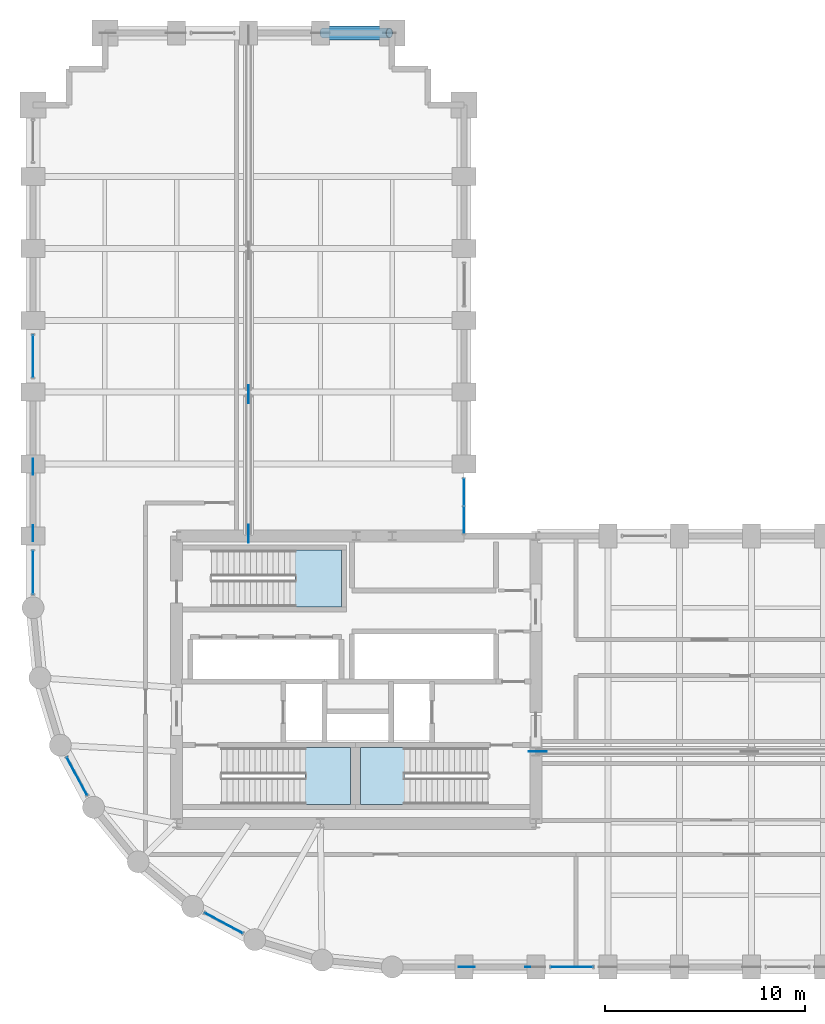
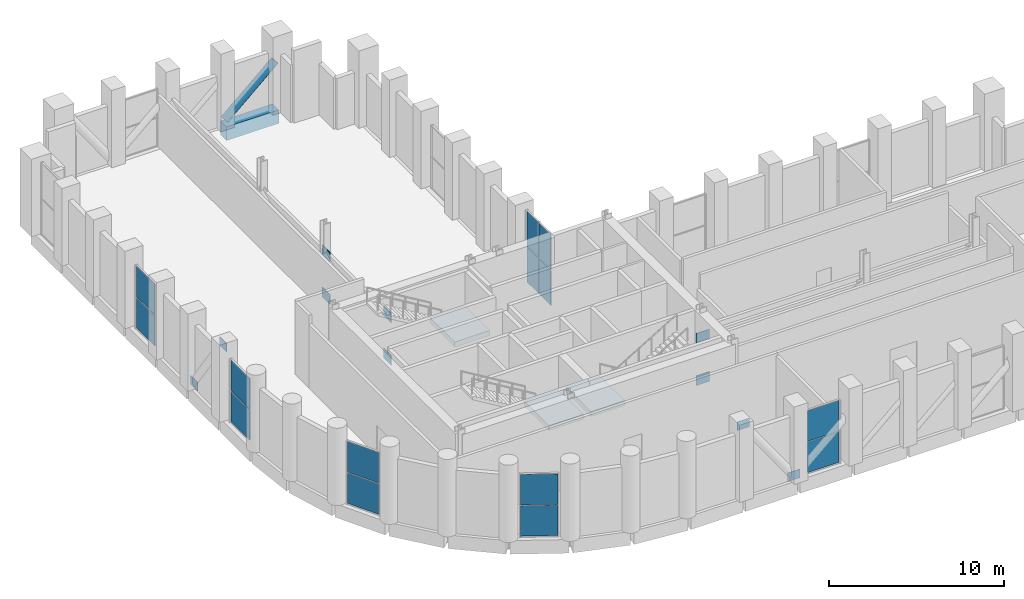
# One storey, part 20 of 27: 24 plates, 3 slabs, 1 beam, 1 member, 9 elements without a shape of their own.
"""IFC4 building model written with IfcOpenShell, lengths in metres."""

from ifc_helpers import new_model, si_unit, direction, frame, origin, origin_2d, place, context, subcontext, project, spatial, polyline, rectangle, hollow_circle, outline, extrude, material, layer, layer_set, material_profile, profile_set, type_object, element, aggregate, save


model = new_model("IFC4")

# Units and contexts
model_context = context("Model", 3, precision=1e-05, world=origin(), true_north=direction((0.0, 1.0)))
body_context = subcontext(model_context, "Body", "Model", "MODEL_VIEW")
ifc_project = project(units=[si_unit("LENGTHUNIT", "METRE"), si_unit("AREAUNIT", "SQUARE_METRE"), si_unit("VOLUMEUNIT", "CUBIC_METRE"), si_unit("PLANEANGLEUNIT", "RADIAN"), si_unit("MASSUNIT", "GRAM", prefix="KILO")], contexts=[model_context])

# Site, building, storey
site_placement = place(None, origin())
site = spatial("IfcSite", under=ifc_project, at=site_placement, CompositionType="ELEMENT")
building_placement = place(site_placement, origin())
building = spatial("IfcBuilding", under=site, at=building_placement, Name="Solnavia Interchange Tower", CompositionType="ELEMENT")
storey_placement = place(building_placement, frame((0.0, 0.0, 74.699951171875)))
storey = spatial("IfcBuildingStorey", under=building, at=storey_placement, Name="L18", CompositionType="ELEMENT", Elevation=74.699951171875)

# Beam
ifc_material_1 = material(Name="Concrete C50/60", Category="concrete")
ifc_material_profile_1 = material_profile(ifc_material_1, rectangle(XDim=0.699951171875, YDim=0.949951171875, at=origin_2d()), Name="RC 700x950")
ifc_profile_set_1 = profile_set([ifc_material_profile_1], Name="Concrete C50/60")
beam_type = type_object("IfcBeamType", Name="Beam-Spandrel-RC700x950", PredefinedType="SPANDREL", material=ifc_profile_set_1)
beam_placement = place(storey_placement, frame((25.1201171875, 50.39990234375, -0.474853515625), z_axis=(-1.0, 0.0, 0.0), x_axis=(0.0, -1.0, 0.0)))
element("IfcBeam", 1, at=beam_placement, inside=storey, type_object=beam_type, Name="SPB-L18-34 Framed-tube perimeter spandrel beam", PredefinedType="SPANDREL", context=body_context, shape_type="SweptSolid", body=[
    extrude(rectangle(XDim=0.699951171875, YDim=0.949951171875, at=origin_2d()), origin(), (0.0, 0.0, 1.0), 3.440185546875),
])

# Member
ifc_material_2 = material(Name="Steel S460", Category="steel")
ifc_material_profile_2 = material_profile(ifc_material_2, hollow_circle(Radius=0.25390625, WallThickness=0.02490234375, at=origin_2d()), Name="CHS 508x25")
ifc_profile_set_2 = profile_set([ifc_material_profile_2], Name="Steel S460")
member_type = type_object("IfcMemberType", Name="Outrigger-Diag-CHS508", PredefinedType="BRACE", material=ifc_profile_set_2)
member_placement = place(storey_placement, frame((21.739990234375, 50.39990234375, 0.300048828125), z_axis=(0.747545781752, 0.0, 0.664210286118), x_axis=(0.0, 1.0, 0.0)))
element("IfcMember", 2, at=member_placement, inside=storey, type_object=member_type, Name="OTR-L18-BT13 Belt truss diagonal", PredefinedType="BRACE", context=body_context, shape_type="SweptSolid", body=[
    extrude(hollow_circle(Radius=0.25390625, WallThickness=0.02490234375, at=origin_2d()), origin(), (0.0, 0.0, 1.0), 4.44140625),
])

# Curtain wall, plates
ifc_material_3 = material(Name="Aluminium Alloy 6063-T6", Category="aluminium")
ifc_layer_1 = layer(ifc_material_3, 0.199951171875)
ifc_layer_set_1 = layer_set([ifc_layer_1], Name="Aluminium Alloy 6063-T6")
curtain_wall_type = type_object("IfcCurtainWallType", Name="CurtainWall-Louvre-CTW5", PredefinedType="NOTDEFINED", material=ifc_layer_set_1)
curtain_wall_1_placement = place(storey_placement, origin())
curtain_wall_1 = element("IfcCurtainWall", 3, at=curtain_wall_1_placement, inside=storey, type_object=curtain_wall_type, Name="CTW-L18-L03 CTW-5 curtain wall", PredefinedType="NOTDEFINED")
ifc_material_4 = material(Name="Powder-Coated Aluminium Louvre", Category="aluminium")
ifc_layer_2 = layer(ifc_material_4, 0.0400390625)
ifc_layer_set_2 = layer_set([ifc_layer_2], Name="Powder-Coated Aluminium Louvre")
plate_type_1 = type_object("IfcPlateType", Name="CW-Panel-Louvre-40", PredefinedType="CURTAIN_PANEL", material=ifc_layer_set_2)
plate_1_placement = place(storey_placement, frame((34.199951171875, 3.60009765625, 0.06005859375), z_axis=(0.0, 0.0, 1.0), x_axis=(1.0, 0.0, 0.0)))
plate_1 = element("IfcPlate", 4, at=plate_1_placement, type_object=plate_type_1, Name="CTW-5 panel 1.1", PredefinedType="CURTAIN_PANEL", context=body_context, shape_type="SweptSolid", body=[
    extrude(rectangle(XDim=2.10498046875, YDim=0.0400390625, at=origin_2d()), origin(), (0.0, 0.0, 1.0), 2.125),
])
plate_2_placement = place(storey_placement, frame((34.199951171875, 3.60009765625, 2.2451171875), z_axis=(0.0, 0.0, 1.0), x_axis=(1.0, 0.0, 0.0)))
plate_2 = element("IfcPlate", 5, at=plate_2_placement, type_object=plate_type_1, Name="CTW-5 panel 1.2", PredefinedType="CURTAIN_PANEL", context=body_context, shape_type="SweptSolid", body=[
    extrude(rectangle(XDim=2.10498046875, YDim=0.0400390625, at=origin_2d()), origin(), (0.0, 0.0, 1.0), 2.125),
])
aggregate(curtain_wall_1, [plate_1, plate_2])

curtain_wall_2_placement = place(storey_placement, origin())
curtain_wall_2 = element("IfcCurtainWall", 6, at=curtain_wall_2_placement, inside=storey, type_object=curtain_wall_type, Name="CTW-L18-L30 CTW-5 curtain wall", PredefinedType="NOTDEFINED")
plate_3_placement = place(storey_placement, frame((28.800048828125, 25.99072265625, 0.06005859375), z_axis=(0.0, 0.0, 1.0), x_axis=(0.0, 1.0, 0.0)))
plate_3 = element("IfcPlate", 7, at=plate_3_placement, type_object=plate_type_1, Name="CTW-5 panel 1.1", PredefinedType="CURTAIN_PANEL", context=body_context, shape_type="SweptSolid", body=[
    extrude(rectangle(XDim=1.331298828125, YDim=0.0400390625, at=origin_2d()), origin(), (0.0, 0.0, 1.0), 2.443115234375),
])
plate_4_placement = place(storey_placement, frame((28.800048828125, 25.99072265625, 2.56298828125), z_axis=(0.0, 0.0, 1.0), x_axis=(0.0, 1.0, 0.0)))
plate_4 = element("IfcPlate", 8, at=plate_4_placement, type_object=plate_type_1, Name="CTW-5 panel 1.2", PredefinedType="CURTAIN_PANEL", context=body_context, shape_type="SweptSolid", body=[
    extrude(rectangle(XDim=1.331298828125, YDim=0.0400390625, at=origin_2d()), origin(), (0.0, 0.0, 1.0), 2.44189453125),
])
plate_5_placement = place(storey_placement, frame((28.800048828125, 27.386962890625, 0.06005859375), z_axis=(0.0, 0.0, 1.0), x_axis=(0.0, 1.0, 0.0)))
plate_5 = element("IfcPlate", 9, at=plate_5_placement, type_object=plate_type_1, Name="CTW-5 panel 2.1", PredefinedType="CURTAIN_PANEL", context=body_context, shape_type="SweptSolid", body=[
    extrude(rectangle(XDim=1.331298828125, YDim=0.0400390625, at=origin_2d()), origin(), (0.0, 0.0, 1.0), 2.443115234375),
])
plate_6_placement = place(storey_placement, frame((28.800048828125, 27.386962890625, 2.56298828125), z_axis=(0.0, 0.0, 1.0), x_axis=(0.0, 1.0, 0.0)))
plate_6 = element("IfcPlate", 10, at=plate_6_placement, type_object=plate_type_1, Name="CTW-5 panel 2.2", PredefinedType="CURTAIN_PANEL", context=body_context, shape_type="SweptSolid", body=[
    extrude(rectangle(XDim=1.331298828125, YDim=0.0400390625, at=origin_2d()), origin(), (0.0, 0.0, 1.0), 2.44189453125),
])
aggregate(curtain_wall_2, [plate_3, plate_4, plate_5, plate_6])

curtain_wall_3_placement = place(storey_placement, origin())
curtain_wall_3 = element("IfcCurtainWall", 11, at=curtain_wall_3_placement, inside=storey, type_object=curtain_wall_type, Name="CTW-L18-L51 CTW-5 curtain wall", PredefinedType="NOTDEFINED")
plate_7_placement = place(storey_placement, frame((7.199951171875, 34.199951171875, 0.06005859375), z_axis=(0.0, 0.0, 1.0), x_axis=(0.0, -1.0, 0.0)))
plate_7 = element("IfcPlate", 12, at=plate_7_placement, type_object=plate_type_1, Name="CTW-5 panel 1.1", PredefinedType="CURTAIN_PANEL", context=body_context, shape_type="SweptSolid", body=[
    extrude(rectangle(XDim=2.10498046875, YDim=0.0400390625, at=origin_2d()), origin(), (0.0, 0.0, 1.0), 2.125),
])
plate_8_placement = place(storey_placement, frame((7.199951171875, 34.199951171875, 2.2451171875), z_axis=(0.0, 0.0, 1.0), x_axis=(0.0, -1.0, 0.0)))
plate_8 = element("IfcPlate", 13, at=plate_8_placement, type_object=plate_type_1, Name="CTW-5 panel 1.2", PredefinedType="CURTAIN_PANEL", context=body_context, shape_type="SweptSolid", body=[
    extrude(rectangle(XDim=2.10498046875, YDim=0.0400390625, at=origin_2d()), origin(), (0.0, 0.0, 1.0), 2.125),
])
aggregate(curtain_wall_3, [plate_7, plate_8])

curtain_wall_4_placement = place(storey_placement, origin())
curtain_wall_4 = element("IfcCurtainWall", 14, at=curtain_wall_4_placement, inside=storey, type_object=curtain_wall_type, Name="CTW-L18-L54 CTW-5 curtain wall", PredefinedType="NOTDEFINED")
plate_9_placement = place(storey_placement, frame((7.199951171875, 23.375, 0.06005859375), z_axis=(0.0, 0.0, 1.0), x_axis=(0.0, -1.0, 0.0)))
plate_9 = element("IfcPlate", 15, at=plate_9_placement, type_object=plate_type_1, Name="CTW-5 panel 1.1", PredefinedType="CURTAIN_PANEL", context=body_context, shape_type="SweptSolid", body=[
    extrude(rectangle(XDim=2.155029296875, YDim=0.0400390625, at=origin_2d()), origin(), (0.0, 0.0, 1.0), 2.125),
])
plate_10_placement = place(storey_placement, frame((7.199951171875, 23.375, 2.2451171875), z_axis=(0.0, 0.0, 1.0), x_axis=(0.0, -1.0, 0.0)))
plate_10 = element("IfcPlate", 16, at=plate_10_placement, type_object=plate_type_1, Name="CTW-5 panel 1.2", PredefinedType="CURTAIN_PANEL", context=body_context, shape_type="SweptSolid", body=[
    extrude(rectangle(XDim=2.155029296875, YDim=0.0400390625, at=origin_2d()), origin(), (0.0, 0.0, 1.0), 2.125),
])
aggregate(curtain_wall_4, [plate_9, plate_10])

curtain_wall_5_placement = place(storey_placement, origin())
curtain_wall_5 = element("IfcCurtainWall", 17, at=curtain_wall_5_placement, inside=storey, type_object=curtain_wall_type, Name="CTW-L18-L57 CTW-5 curtain wall", PredefinedType="NOTDEFINED")
plate_11_placement = place(storey_placement, frame((9.402099609375, 13.156005859375, 0.06005859375), z_axis=(0.0, 0.0, 1.0), x_axis=(0.471569181579, -0.881829069029, 0.0)))
plate_11 = element("IfcPlate", 18, at=plate_11_placement, type_object=plate_type_1, Name="CTW-5 panel 1.1", PredefinedType="CURTAIN_PANEL", context=body_context, shape_type="SweptSolid", body=[
    extrude(rectangle(XDim=2.134033203125, YDim=0.0400390625, at=origin_2d()), origin(), (0.0, 0.0, 1.0), 2.125),
])
plate_12_placement = place(storey_placement, frame((9.402099609375, 13.156005859375, 2.2451171875), z_axis=(0.0, 0.0, 1.0), x_axis=(0.471569181579, -0.881829069029, 0.0)))
plate_12 = element("IfcPlate", 19, at=plate_12_placement, type_object=plate_type_1, Name="CTW-5 panel 1.2", PredefinedType="CURTAIN_PANEL", context=body_context, shape_type="SweptSolid", body=[
    extrude(rectangle(XDim=2.134033203125, YDim=0.0400390625, at=origin_2d()), origin(), (0.0, 0.0, 1.0), 2.125),
])
aggregate(curtain_wall_5, [plate_11, plate_12])

curtain_wall_6_placement = place(storey_placement, origin())
curtain_wall_6 = element("IfcCurtainWall", 20, at=curtain_wall_6_placement, inside=storey, type_object=curtain_wall_type, Name="CTW-L18-L60 CTW-5 curtain wall", PredefinedType="NOTDEFINED")
plate_13_placement = place(storey_placement, frame((16.756103515625, 5.802001953125, 0.06005859375), z_axis=(0.0, 0.0, 1.0), x_axis=(0.881829069029, -0.471569181579, 0.0)))
plate_13 = element("IfcPlate", 21, at=plate_13_placement, type_object=plate_type_1, Name="CTW-5 panel 1.1", PredefinedType="CURTAIN_PANEL", context=body_context, shape_type="SweptSolid", body=[
    extrude(rectangle(XDim=2.134033203125, YDim=0.0400390625, at=origin_2d()), origin(), (0.0, 0.0, 1.0), 2.125),
])
plate_14_placement = place(storey_placement, frame((16.756103515625, 5.802001953125, 2.2451171875), z_axis=(0.0, 0.0, 1.0), x_axis=(0.881829069029, -0.471569181579, 0.0)))
plate_14 = element("IfcPlate", 22, at=plate_14_placement, type_object=plate_type_1, Name="CTW-5 panel 1.2", PredefinedType="CURTAIN_PANEL", context=body_context, shape_type="SweptSolid", body=[
    extrude(rectangle(XDim=2.134033203125, YDim=0.0400390625, at=origin_2d()), origin(), (0.0, 0.0, 1.0), 2.125),
])
aggregate(curtain_wall_6, [plate_13, plate_14])

# Plates
ifc_layer_3 = layer(ifc_material_2, 0.035888671875)
ifc_layer_set_3 = layer_set([ifc_layer_3], Name="Steel S460")
plate_type_2 = type_object("IfcPlateType", Name="Plate-Gusset-800x600x36", PredefinedType="USERDEFINED", material=ifc_layer_set_3)
for number, where, z_axis, x_axis, name in (
    (23, (32.260009765625, 3.60009765625, -0.1201171875), (0.0, 0.0, 1.0), (-1.0, 0.0, 0.0), "PLT-L18-GP01 Perimeter brace gusset plate"),
    (24, (28.93994140625, 3.60009765625, 4.60009765625), (0.0, 0.0, 1.0), (-1.0, 0.0, 0.0), "PLT-L18-GP02 Perimeter brace gusset plate"),
    (25, (7.199951171875, 28.659912109375, -0.1201171875), (0.0, 0.0, 1.0), (0.0, -1.0, 0.0), "PLT-L18-GP03 Perimeter brace gusset plate"),
    (26, (7.199951171875, 25.340087890625, 4.60009765625), (0.0, 0.0, 1.0), (0.0, -1.0, 0.0), "PLT-L18-GP04 Perimeter brace gusset plate"),
):
    element("IfcPlate", number, at=place(storey_placement, frame(where, z_axis=z_axis, x_axis=x_axis)), inside=storey, type_object=plate_type_2, Name=name, ObjectType="GUSSET PLATE", PredefinedType="USERDEFINED", context=body_context, shape_type="SweptSolid", body=[
        extrude(rectangle(XDim=0.800048828125, YDim=0.035888671875, at=origin_2d()), origin(), (0.0, 0.0, 1.0), 0.60009765625),
    ])
ifc_layer_4 = layer(ifc_material_2, 0.035888671875)
ifc_layer_set_4 = layer_set([ifc_layer_4], Name="Steel S460")
plate_type_3 = type_object("IfcPlateType", Name="Plate-Gusset-900x680x36", PredefinedType="USERDEFINED", material=ifc_layer_set_4)
for number, where, z_axis, x_axis, name in (
    (27, (32.5, 14.39990234375, -0.0400390625), (0.0, 0.0, 1.0), (1.0, 0.0, 0.0), "PLT-L18-GP09 Outrigger node gusset plate"),
    (28, (32.5, 14.39990234375, 2.91015625), (0.0, 0.0, 1.0), (1.0, 0.0, 0.0), "PLT-L18-GP11 Outrigger node gusset plate"),
    (29, (18.0, 25.300048828125, -0.0400390625), (0.0, 0.0, 1.0), (0.0, 1.0, 0.0), "PLT-L18-GP15 Outrigger node gusset plate"),
    (30, (18.0, 32.300048828125, -0.0400390625), (0.0, 0.0, 1.0), (0.0, 1.0, 0.0), "PLT-L18-GP16 Outrigger node gusset plate"),
    (31, (18.0, 25.300048828125, 2.91015625), (0.0, 0.0, 1.0), (0.0, 1.0, 0.0), "PLT-L18-GP17 Outrigger node gusset plate"),
    (32, (18.0, 32.300048828125, 2.91015625), (0.0, 0.0, 1.0), (0.0, 1.0, 0.0), "PLT-L18-GP18 Outrigger node gusset plate"),
):
    element("IfcPlate", number, at=place(storey_placement, frame(where, z_axis=z_axis, x_axis=x_axis)), inside=storey, type_object=plate_type_3, Name=name, ObjectType="GUSSET PLATE", PredefinedType="USERDEFINED", context=body_context, shape_type="SweptSolid", body=[
        extrude(rectangle(XDim=0.89990234375, YDim=0.035888671875, at=origin_2d()), origin(), (0.0, 0.0, 1.0), 0.679931640625),
    ])

# Stair, slab
ifc_material_5 = material(Name="Concrete C40/50", Category="concrete")
stair_type = type_object("IfcStairType", Name="Stair-Dogleg-RC", PredefinedType="HALF_TURN_STAIR", material=ifc_material_5)
stair_1_placement = place(storey_placement, origin())
stair_1 = element("IfcStair", 33, at=stair_1_placement, inside=storey, type_object=stair_type, Name="L18 Core exit stair 1", PredefinedType="HALF_TURN_STAIR")
ifc_layer_5 = layer(ifc_material_5, 0.35009765625)
ifc_layer_set_5 = layer_set([ifc_layer_5], Name="Concrete C40/50")
slab_type = type_object("IfcSlabType", Name="Slab-StairLanding-350", PredefinedType="LANDING", material=ifc_layer_set_5)
slab_1_placement = place(storey_placement, frame((0.0, 0.0, 2.35009765625)))
slab_1 = element("IfcSlab", 34, at=slab_1_placement, type_object=slab_type, Name="ST-1 landing 1", PredefinedType="LANDING", context=body_context, shape_type="SweptSolid", body=[
    extrude(outline(polyline([(20.827880859375, 11.75), (23.10009765625, 11.75), (23.10009765625, 14.590087890625), (20.827880859375, 14.590087890625), (20.827880859375, 11.75)])), origin(), (0.0, 0.0, 1.0), 0.349853515625),
])
aggregate(stair_1, [slab_1])

stair_2_placement = place(storey_placement, origin())
stair_2 = element("IfcStair", 35, at=stair_2_placement, inside=storey, type_object=stair_type, Name="L18 Core exit stair 2", PredefinedType="HALF_TURN_STAIR")
slab_2_placement = place(storey_placement, frame((0.0, 0.0, 2.35009765625)))
slab_2 = element("IfcSlab", 36, at=slab_2_placement, type_object=slab_type, Name="ST-2 landing 1", PredefinedType="LANDING", context=body_context, shape_type="SweptSolid", body=[
    extrude(outline(polyline([(23.60009765625, 11.75), (25.822021484375, 11.75), (25.822021484375, 14.590087890625), (23.60009765625, 14.590087890625), (23.60009765625, 11.75)])), origin(), (0.0, 0.0, 1.0), 0.349853515625),
])
aggregate(stair_2, [slab_2])

stair_3_placement = place(storey_placement, origin())
stair_3 = element("IfcStair", 37, at=stair_3_placement, inside=storey, type_object=stair_type, Name="L18 Core exit stair 3", PredefinedType="HALF_TURN_STAIR")
slab_3_placement = place(storey_placement, frame((0.0, 0.0, 2.35009765625)))
slab_3 = element("IfcSlab", 38, at=slab_3_placement, type_object=slab_type, Name="ST-3 landing 1", PredefinedType="LANDING", context=body_context, shape_type="SweptSolid", body=[
    extrude(outline(polyline([(20.327880859375, 21.64990234375), (22.64990234375, 21.64990234375), (22.64990234375, 24.489990234375), (20.327880859375, 24.489990234375), (20.327880859375, 21.64990234375)])), origin(), (0.0, 0.0, 1.0), 0.349853515625),
])
aggregate(stair_3, [slab_3])

save(model, "model.ifc")
